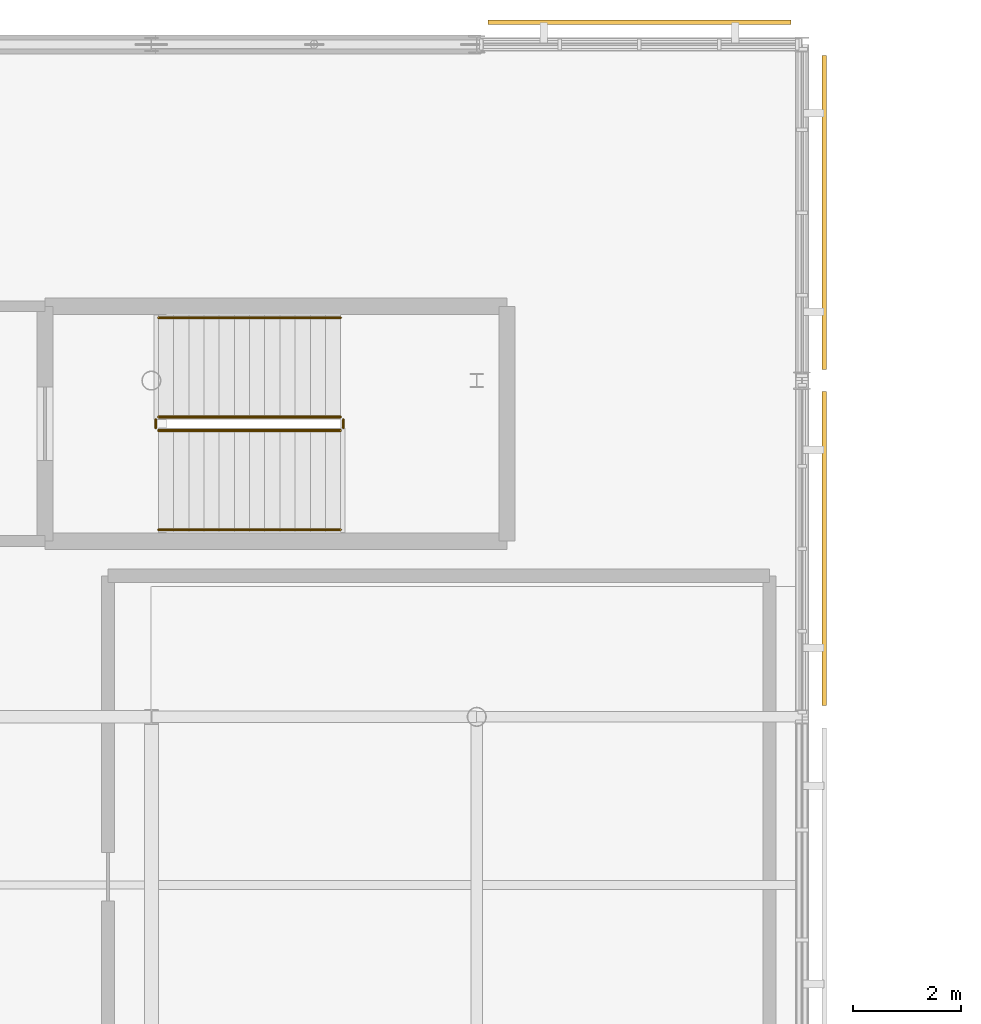
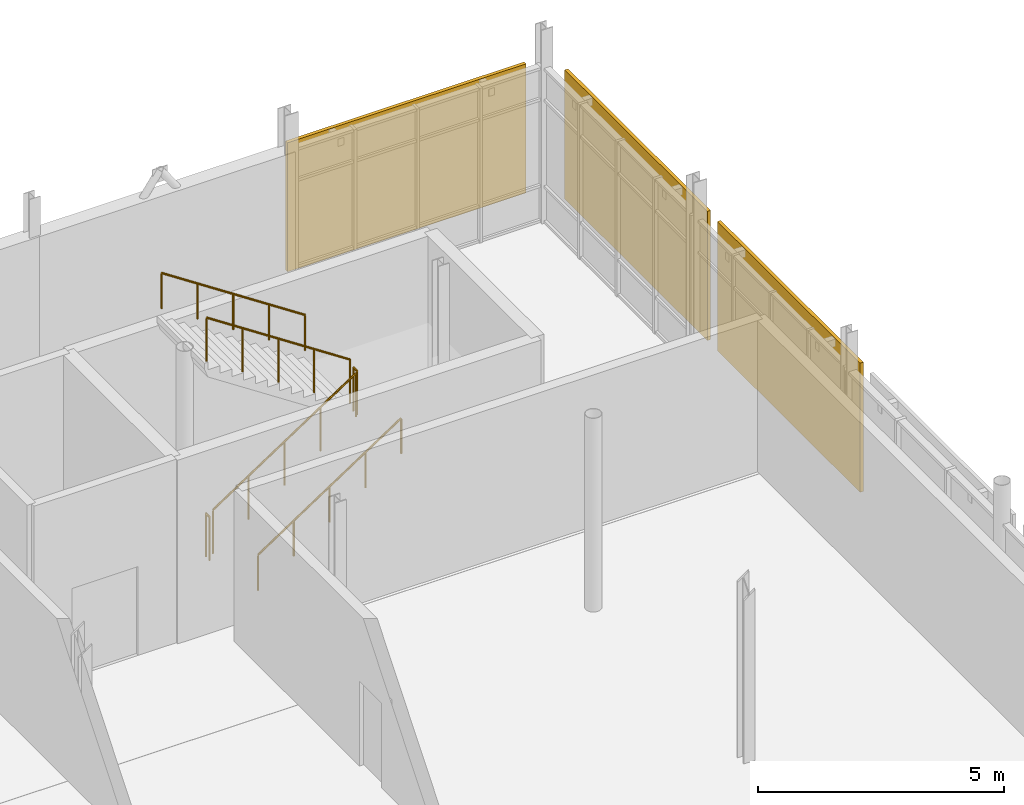
# One storey, part 64 of 66: 6 railings, 3 shading devices.
"""IFC4 building model written with IfcOpenShell, lengths in metres."""

from ifc_helpers import new_model, si_unit, direction, frame, origin, origin_2d, place, context, subcontext, project, spatial, rectangle, circle, extrude, material, layer, layer_set, type_object, element, save


model = new_model("IFC4")

# Units and contexts
model_context = context("Model", 3, precision=1e-05, world=origin(), true_north=direction((0.0, 1.0)))
body_context = subcontext(model_context, "Body", "Model", "MODEL_VIEW")
ifc_project = project(units=[si_unit("LENGTHUNIT", "METRE"), si_unit("AREAUNIT", "SQUARE_METRE"), si_unit("VOLUMEUNIT", "CUBIC_METRE"), si_unit("PLANEANGLEUNIT", "RADIAN"), si_unit("MASSUNIT", "GRAM", prefix="KILO")], contexts=[model_context])

# Site, building, storey
site_placement = place(None, origin())
site = spatial("IfcSite", under=ifc_project, at=site_placement, CompositionType="ELEMENT")
building_placement = place(site_placement, origin())
building = spatial("IfcBuilding", under=site, at=building_placement, Name="Mirzam Square Science Centre", CompositionType="ELEMENT")
storey_placement = place(building_placement, frame((0.0, 0.0, 15.60009765625)))
storey = spatial("IfcBuildingStorey", under=building, at=storey_placement, Name="L03", CompositionType="ELEMENT", Elevation=15.60009765625)

# Railings
ifc_material_1 = material(Name="Bronze-Anodised Architectural Balustrade", Category="aluminium")
railing_type_1 = type_object("IfcRailingType", Name="RL-INT-GUARD-1100", PredefinedType="GUARDRAIL", material=ifc_material_1)
railing_1_placement = place(storey_placement, frame((126.1298828125, 104.47998046875, 0.1845703125)))
element("IfcRailing", 1, at=railing_1_placement, inside=storey, type_object=railing_type_1, Name="L03 ST-11 stair guard 1", PredefinedType="GUARDRAIL", context=body_context, shape_type="SweptSolid", body=[
    extrude(circle(Radius=0.02392578125, at=origin_2d()), frame((0.0, 0.0, 1.076171875), z_axis=(0.834876476806, 0.0, 0.550437342915), x_axis=(0.0, 1.0, 0.0)), (0.0, 0.0, 1.0), 4.024658203125),
    extrude(circle(Radius=0.02099609375, at=origin_2d()), origin(), (0.0, 0.0, 1.0), 1.052001953125),
    extrude(circle(Radius=0.02099609375, at=origin_2d()), frame((0.840087890625, 0.0, 0.5537109375)), (0.0, 0.0, 1.0), 1.052001953125),
    extrude(circle(Radius=0.02099609375, at=origin_2d()), frame((1.68017578125, 0.0, 1.107666015625)), (0.0, 0.0, 1.0), 1.052001953125),
    extrude(circle(Radius=0.02099609375, at=origin_2d()), frame((2.52001953125, 0.0, 1.66162109375)), (0.0, 0.0, 1.0), 1.052001953125),
    extrude(circle(Radius=0.02099609375, at=origin_2d()), frame((3.360107421875, 0.0, 2.21533203125)), (0.0, 0.0, 1.0), 1.052001953125),
])
railing_2_placement = place(storey_placement, frame((129.5400390625, 104.530029296875, 2.39990234375)))
element("IfcRailing", 2, at=railing_2_placement, inside=storey, type_object=railing_type_1, Name="L03 ST-11 stair guard 2", PredefinedType="GUARDRAIL", context=body_context, shape_type="SweptSolid", body=[
    extrude(circle(Radius=0.02392578125, at=origin_2d()), frame((0.0, 0.0, 1.076171875), z_axis=(0.0, 1.0, 0.0), x_axis=(-1.0, 0.0, 0.0)), (0.0, 0.0, 1.0), 0.14990234375),
    extrude(circle(Radius=0.02099609375, at=origin_2d()), origin(), (0.0, 0.0, 1.0), 1.052001953125),
    extrude(circle(Radius=0.02099609375, at=origin_2d()), frame((0.0, 0.14990234375, 0.0)), (0.0, 0.0, 1.0), 1.052001953125),
])
railing_3_placement = place(storey_placement, frame((129.489990234375, 104.72998046875, 2.58447265625)))
element("IfcRailing", 3, at=railing_3_placement, inside=storey, type_object=railing_type_1, Name="L03 ST-11 stair guard 3", PredefinedType="GUARDRAIL", context=body_context, shape_type="SweptSolid", body=[
    extrude(circle(Radius=0.02392578125, at=origin_2d()), frame((0.0, 0.0, 1.076171875), z_axis=(-0.834876476806, 0.0, 0.550437342915), x_axis=(0.0, -1.0, 0.0)), (0.0, 0.0, 1.0), 4.024658203125),
    extrude(circle(Radius=0.02099609375, at=origin_2d()), origin(), (0.0, 0.0, 1.0), 1.052001953125),
    extrude(circle(Radius=0.02099609375, at=origin_2d()), frame((-0.840087890625, 0.0, 0.5537109375)), (0.0, 0.0, 1.0), 1.052001953125),
    extrude(circle(Radius=0.02099609375, at=origin_2d()), frame((-1.68017578125, 0.0, 1.107666015625)), (0.0, 0.0, 1.0), 1.052001953125),
    extrude(circle(Radius=0.02099609375, at=origin_2d()), frame((-2.52001953125, 0.0, 1.66162109375)), (0.0, 0.0, 1.0), 1.052001953125),
    extrude(circle(Radius=0.02099609375, at=origin_2d()), frame((-3.360107421875, 0.0, 2.21533203125)), (0.0, 0.0, 1.0), 1.052001953125),
])
railing_4_placement = place(storey_placement, frame((126.080078125, 104.530029296875, 0.0)))
element("IfcRailing", 4, at=railing_4_placement, inside=storey, type_object=railing_type_1, Name="L03 ST-11 stair guard 4", PredefinedType="GUARDRAIL", context=body_context, shape_type="SweptSolid", body=[
    extrude(circle(Radius=0.02392578125, at=origin_2d()), frame((0.0, 0.0, 1.076171875), z_axis=(0.0, 1.0, 0.0), x_axis=(-1.0, 0.0, 0.0)), (0.0, 0.0, 1.0), 0.14990234375),
    extrude(circle(Radius=0.02099609375, at=origin_2d()), origin(), (0.0, 0.0, 1.0), 1.052001953125),
    extrude(circle(Radius=0.02099609375, at=origin_2d()), frame((0.0, 0.14990234375, 0.0)), (0.0, 0.0, 1.0), 1.052001953125),
])
ifc_material_2 = material(Name="Brushed Bronze Tubular Handrail", Category="aluminium")
railing_type_2 = type_object("IfcRailingType", Name="RL-STAIR-HANDRAIL-900", PredefinedType="HANDRAIL", material=ifc_material_2)
railing_5_placement = place(storey_placement, frame((126.1298828125, 102.64990234375, 0.381103515625)))
element("IfcRailing", 5, at=railing_5_placement, inside=storey, type_object=railing_type_2, Name="L03 ST-11 stair handrail 1", PredefinedType="HANDRAIL", context=body_context, shape_type="SweptSolid", body=[
    extrude(circle(Radius=0.02392578125, at=origin_2d()), frame((0.0, 0.0, 0.8759765625), z_axis=(0.834876476806, 0.0, 0.550437342915), x_axis=(0.0, 1.0, 0.0)), (0.0, 0.0, 1.0), 4.024658203125),
    extrude(circle(Radius=0.02099609375, at=origin_2d()), origin(), (0.0, 0.0, 1.0), 0.851806640625),
    extrude(circle(Radius=0.02099609375, at=origin_2d()), frame((0.840087890625, 0.0, 0.5537109375)), (0.0, 0.0, 1.0), 0.851806640625),
    extrude(circle(Radius=0.02099609375, at=origin_2d()), frame((1.68017578125, 0.0, 1.107666015625)), (0.0, 0.0, 1.0), 0.851806640625),
    extrude(circle(Radius=0.02099609375, at=origin_2d()), frame((2.52001953125, 0.0, 1.66162109375)), (0.0, 0.0, 1.0), 0.851806640625),
    extrude(circle(Radius=0.02099609375, at=origin_2d()), frame((3.360107421875, 0.0, 2.21533203125)), (0.0, 0.0, 1.0), 0.851806640625),
])
railing_6_placement = place(storey_placement, frame((129.489990234375, 106.56005859375, 2.78125)))
element("IfcRailing", 6, at=railing_6_placement, inside=storey, type_object=railing_type_2, Name="L03 ST-11 stair handrail 2", PredefinedType="HANDRAIL", context=body_context, shape_type="SweptSolid", body=[
    extrude(circle(Radius=0.02392578125, at=origin_2d()), frame((0.0, 0.0, 0.8759765625), z_axis=(-0.834876476806, 0.0, 0.550437342915), x_axis=(0.0, -1.0, 0.0)), (0.0, 0.0, 1.0), 4.024658203125),
    extrude(circle(Radius=0.02099609375, at=origin_2d()), origin(), (0.0, 0.0, 1.0), 0.851806640625),
    extrude(circle(Radius=0.02099609375, at=origin_2d()), frame((-0.840087890625, 0.0, 0.5537109375)), (0.0, 0.0, 1.0), 0.851806640625),
    extrude(circle(Radius=0.02099609375, at=origin_2d()), frame((-1.68017578125, 0.0, 1.107666015625)), (0.0, 0.0, 1.0), 0.851806640625),
    extrude(circle(Radius=0.02099609375, at=origin_2d()), frame((-2.52001953125, 0.0, 1.66162109375)), (0.0, 0.0, 1.0), 0.851806640625),
    extrude(circle(Radius=0.02099609375, at=origin_2d()), frame((-3.360107421875, 0.0, 2.21533203125)), (0.0, 0.0, 1.0), 0.851806640625),
])

# Shading devices
ifc_material_3 = material(Name="Perforated Bronze-Anodised Aluminium Brise-Soleil", Category="aluminium")
ifc_layer = layer(ifc_material_3, 0.080078125)
ifc_layer_set = layer_set([ifc_layer], Name="SHD-BRISE-BRONZE")
shading_device_type = type_object("IfcShadingDeviceType", Name="SHD-BRISE-BRONZE", PredefinedType="JALOUSIE", material=ifc_layer_set)
shading_device_placement = place(storey_placement, frame((135.0, 112.010009765625, 0.48974609375), z_axis=(0.0, 0.0, 1.0), x_axis=(-1.0, 0.0, 0.0)))
element("IfcShadingDevice", 7, at=shading_device_placement, inside=storey, type_object=shading_device_type, Name="L03 bronze brise-soleil screen 127", PredefinedType="JALOUSIE", context=body_context, shape_type="SweptSolid", body=[
    extrude(rectangle(XDim=5.590087890625, YDim=0.080078125, at=origin_2d()), origin(), (0.0, 0.0, 1.0), 3.199951171875),
])
for number, where, z_axis, x_axis, name in (
    (8, (138.409912109375, 102.300048828125, 0.48974609375), (0.0, 0.0, 1.0), (0.0, 1.0, 0.0), "L03 bronze brise-soleil screen 133"),
    (9, (138.409912109375, 108.5, 0.48974609375), (0.0, 0.0, 1.0), (0.0, 1.0, 0.0), "L03 bronze brise-soleil screen 135"),
):
    element("IfcShadingDevice", number, at=place(storey_placement, frame(where, z_axis=z_axis, x_axis=x_axis)), inside=storey, type_object=shading_device_type, Name=name, PredefinedType="JALOUSIE", context=body_context, shape_type="SweptSolid", body=[
        extrude(rectangle(XDim=5.7900390625, YDim=0.080078125, at=origin_2d()), origin(), (0.0, 0.0, 1.0), 3.199951171875),
    ])

save(model, "model.ifc")
